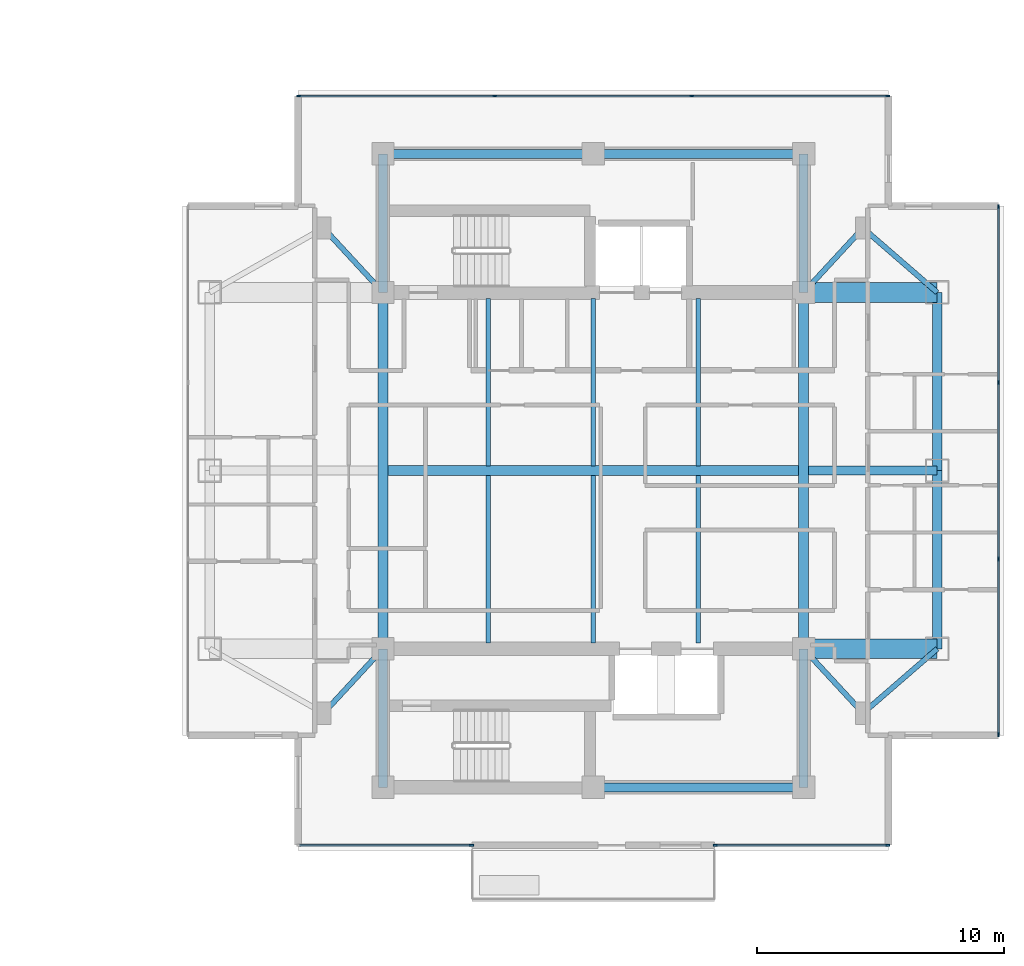
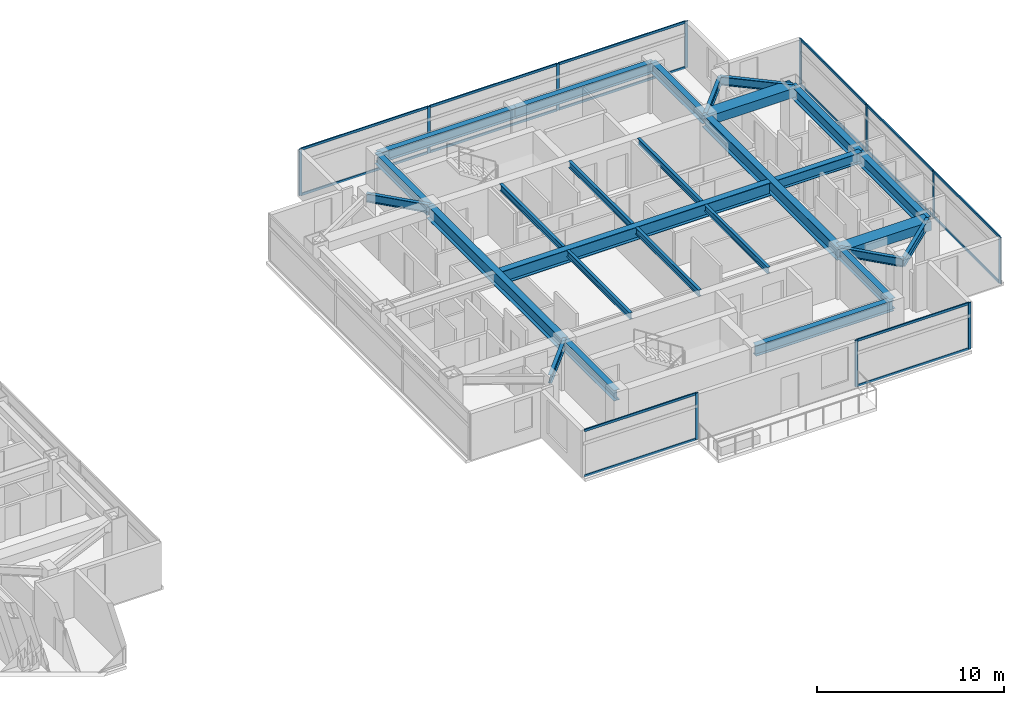
# One storey, part 9 of 23: 27 beams, 27 members, 4 elements without a shape of their own.
"""IFC4 building model written with IfcOpenShell, lengths in metres."""

from ifc_helpers import new_model, si_unit, direction, frame, origin, origin_2d, place, context, subcontext, project, spatial, rectangle, i_section, extrude, material, material_profile, profile_set, type_object, element, aggregate, save


model = new_model("IFC4")

# Units and contexts
model_context = context("Model", 3, precision=1e-05, world=origin(), true_north=direction((0.0, 1.0)))
body_context = subcontext(model_context, "Body", "Model", "MODEL_VIEW")
ifc_project = project(units=[si_unit("LENGTHUNIT", "METRE"), si_unit("AREAUNIT", "SQUARE_METRE"), si_unit("VOLUMEUNIT", "CUBIC_METRE"), si_unit("PLANEANGLEUNIT", "RADIAN"), si_unit("MASSUNIT", "GRAM", prefix="KILO")], contexts=[model_context])

# Site, building, storey
site_placement = place(None, origin())
site = spatial("IfcSite", under=ifc_project, at=site_placement, CompositionType="ELEMENT")
building_placement = place(site_placement, origin())
building = spatial("IfcBuilding", under=site, at=building_placement, Name="Mirazonda Arch Towers", CompositionType="ELEMENT")
storey_placement = place(building_placement, frame((0.0, 0.0, 183.64990234375)))
storey = spatial("IfcBuildingStorey", under=building, at=storey_placement, Name="L52", CompositionType="ELEMENT", Elevation=183.64990234375)

# Beams
ifc_material_1 = material(Name="Steel ASTM A992 Grade 50", Category="steel")
ifc_material_profile_1 = material_profile(ifc_material_1, i_section(OverallWidth=0.381103515625, OverallDepth=0.77294921875, WebThickness=0.0166015625, FlangeThickness=0.027099609375, at=origin_2d()), Name="W30X173")
ifc_profile_set_1 = profile_set([ifc_material_profile_1], Name="Steel ASTM A992 Grade 50")
beam_type_1 = type_object("IfcBeamType", Name="BM-EXT-W30X173", PredefinedType="USERDEFINED", material=ifc_profile_set_1)
for number, where, z_axis, x_axis, name in (
    (1, (90.39990234375, 20.800048828125, 2.66357421875), (0.0, 1.0, 0.0), (-1.0, 0.0, 0.0), "L52 Floor Beam BM-T2-L52-NS-E-20"),
    (2, (90.39990234375, 28.0, 2.66357421875), (0.0, 1.0, 0.0), (-1.0, 0.0, 0.0), "L52 Floor Beam BM-T2-L52-NS-E-28"),
):
    element("IfcBeam", number, at=place(storey_placement, frame(where, z_axis=z_axis, x_axis=x_axis)), inside=storey, type_object=beam_type_1, Name=name, ObjectType="GIRDER", PredefinedType="USERDEFINED", context=body_context, shape_type="SweptSolid", body=[
        extrude(i_section(OverallWidth=0.381103515625, OverallDepth=0.77294921875, WebThickness=0.0166015625, FlangeThickness=0.027099609375, at=origin_2d()), origin(), (0.0, 0.0, 1.0), 7.199951171875),
    ])
ifc_material_profile_2 = material_profile(ifc_material_1, i_section(OverallWidth=0.180908203125, OverallDepth=0.4169921875, WebThickness=0.010986328125, FlangeThickness=0.018310546875, at=origin_2d()), Name="W16X57")
ifc_profile_set_2 = profile_set([ifc_material_profile_2], Name="Steel ASTM A992 Grade 50")
beam_type_2 = type_object("IfcBeamType", Name="BM-INT-W16X57", PredefinedType="JOIST", material=ifc_profile_set_2)
for number, where, z_axis, x_axis, name in (
    (3, (72.25, 21.0400390625, 2.841552734375), (0.0, 1.0, 0.0), (-1.0, 0.0, 0.0), "L52 Floor Beam BM-T2-L52-J-722-20"),
    (4, (72.25, 28.196044921875, 2.841552734375), (0.0, 1.0, 0.0), (-1.0, 0.0, 0.0), "L52 Floor Beam BM-T2-L52-J-722-28"),
    (5, (76.5, 21.0400390625, 2.841552734375), (0.0, 1.0, 0.0), (-1.0, 0.0, 0.0), "L52 Floor Beam BM-T2-L52-J-765-20"),
    (6, (76.5, 28.196044921875, 2.841552734375), (0.0, 1.0, 0.0), (-1.0, 0.0, 0.0), "L52 Floor Beam BM-T2-L52-J-765-28"),
    (7, (80.75, 21.0400390625, 2.841552734375), (0.0, 1.0, 0.0), (-1.0, 0.0, 0.0), "L52 Floor Beam BM-T2-L52-J-807-20"),
    (8, (80.75, 28.196044921875, 2.841552734375), (0.0, 1.0, 0.0), (-1.0, 0.0, 0.0), "L52 Floor Beam BM-T2-L52-J-807-28"),
):
    element("IfcBeam", number, at=place(storey_placement, frame(where, z_axis=z_axis, x_axis=x_axis)), inside=storey, type_object=beam_type_2, Name=name, PredefinedType="JOIST", context=body_context, shape_type="SweptSolid", body=[
        extrude(i_section(OverallWidth=0.180908203125, OverallDepth=0.4169921875, WebThickness=0.010986328125, FlangeThickness=0.018310546875, at=origin_2d()), origin(), (0.0, 0.0, 1.0), 6.763916015625),
    ])
ifc_material_profile_3 = material_profile(ifc_material_1, i_section(OverallWidth=0.214111328125, OverallDepth=0.549072265625, WebThickness=0.0146484375, FlangeThickness=0.023681640625, at=origin_2d()), Name="W21X93")
ifc_profile_set_3 = profile_set([ifc_material_profile_3], Name="Steel ASTM A992 Grade 50")
beam_type_3 = type_object("IfcBeamType", Name="BM-INT-W21X93", PredefinedType="BEAM", material=ifc_profile_set_3)
for number, where, z_axis, x_axis, name in (
    (9, (65.60009765625, 18.199951171875, 2.775634765625), (0.678251444854, 0.734829897019, 0.0), (-0.734829897019, 0.678251444854, 0.0), "L52 Floor Beam BM-T2-L52-PL-SW1"),
    (10, (87.39990234375, 18.199951171875, 2.775634765625), (-0.678251444854, 0.734829897019, 0.0), (-0.734829897019, -0.678251444854, 0.0), "L52 Floor Beam BM-T2-L52-PL-SE1"),
):
    element("IfcBeam", number, at=place(storey_placement, frame(where, z_axis=z_axis, x_axis=x_axis)), inside=storey, type_object=beam_type_3, Name=name, PredefinedType="BEAM", context=body_context, shape_type="SweptSolid", body=[
        extrude(i_section(OverallWidth=0.214111328125, OverallDepth=0.549072265625, WebThickness=0.0146484375, FlangeThickness=0.023681640625, at=origin_2d()), origin(), (0.0, 0.0, 1.0), 3.538330078125),
    ])
beam_1_placement = place(storey_placement, frame((87.39990234375, 18.199951171875, 2.775634765625), z_axis=(0.755676908098, 0.654944585876, 0.0), x_axis=(-0.654944585876, 0.755676908098, 0.0)))
element("IfcBeam", 11, at=beam_1_placement, inside=storey, type_object=beam_type_3, Name="L52 Floor Beam BM-T2-L52-PL-SE2", PredefinedType="BEAM", context=body_context, shape_type="SweptSolid", body=[
    extrude(i_section(OverallWidth=0.214111328125, OverallDepth=0.549072265625, WebThickness=0.0146484375, FlangeThickness=0.023681640625, at=origin_2d()), origin(), (0.0, 0.0, 1.0), 3.969970703125),
])
for number, where, z_axis, x_axis, name in (
    (12, (65.60009765625, 37.800048828125, 2.775634765625), (0.678251444854, -0.734829897019, 0.0), (0.734829897019, 0.678251444854, 0.0), "L52 Floor Beam BM-T2-L52-PL-NW1"),
    (13, (87.39990234375, 37.800048828125, 2.775634765625), (-0.678251444854, -0.734829897019, 0.0), (0.734829897019, -0.678251444854, 0.0), "L52 Floor Beam BM-T2-L52-PL-NE1"),
):
    element("IfcBeam", number, at=place(storey_placement, frame(where, z_axis=z_axis, x_axis=x_axis)), inside=storey, type_object=beam_type_3, Name=name, PredefinedType="BEAM", context=body_context, shape_type="SweptSolid", body=[
        extrude(i_section(OverallWidth=0.214111328125, OverallDepth=0.549072265625, WebThickness=0.0146484375, FlangeThickness=0.023681640625, at=origin_2d()), origin(), (0.0, 0.0, 1.0), 3.538330078125),
    ])
beam_2_placement = place(storey_placement, frame((87.39990234375, 37.800048828125, 2.775634765625), z_axis=(0.755676908098, -0.654944585876, 0.0), x_axis=(0.654944585876, 0.755676908098, 0.0)))
element("IfcBeam", 14, at=beam_2_placement, inside=storey, type_object=beam_type_3, Name="L52 Floor Beam BM-T2-L52-PL-NE2", PredefinedType="BEAM", context=body_context, shape_type="SweptSolid", body=[
    extrude(i_section(OverallWidth=0.214111328125, OverallDepth=0.549072265625, WebThickness=0.0146484375, FlangeThickness=0.023681640625, at=origin_2d()), origin(), (0.0, 0.0, 1.0), 3.969970703125),
])
ifc_material_profile_4 = material_profile(ifc_material_1, i_section(OverallWidth=0.35498046875, OverallDepth=0.696044921875, WebThickness=0.015380859375, FlangeThickness=0.02490234375, at=origin_2d()), Name="W27X146")
ifc_profile_set_4 = profile_set([ifc_material_profile_4], Name="Steel ASTM A992 Grade 50")
beam_type_4 = type_object("IfcBeamType", Name="BM-INT-W27X146", PredefinedType="BEAM", material=ifc_profile_set_4)
for number, where, z_axis, x_axis, name in (
    (15, (76.5, 15.199951171875, 2.7021484375), (1.0, 0.0, 0.0), (0.0, 1.0, 0.0), "L52 Floor Beam BM-T2-L52-CS2"),
    (16, (68.0, 40.800048828125, 2.7021484375), (1.0, 0.0, 0.0), (0.0, 1.0, 0.0), "L52 Floor Beam BM-T2-L52-CN1"),
    (17, (76.5, 40.800048828125, 2.7021484375), (1.0, 0.0, 0.0), (0.0, 1.0, 0.0), "L52 Floor Beam BM-T2-L52-CN2"),
):
    element("IfcBeam", number, at=place(storey_placement, frame(where, z_axis=z_axis, x_axis=x_axis)), inside=storey, type_object=beam_type_4, Name=name, PredefinedType="BEAM", context=body_context, shape_type="SweptSolid", body=[
        extrude(i_section(OverallWidth=0.35498046875, OverallDepth=0.696044921875, WebThickness=0.015380859375, FlangeThickness=0.02490234375, at=origin_2d()), origin(), (0.0, 0.0, 1.0), 8.5),
    ])
for number, where, z_axis, x_axis, name in (
    (18, (68.0, 15.199951171875, 2.7021484375), (0.0, 1.0, 0.0), (-1.0, 0.0, 0.0), "L52 Floor Beam BM-T2-L52-CSW"),
    (19, (85.0, 15.199951171875, 2.7021484375), (0.0, 1.0, 0.0), (-1.0, 0.0, 0.0), "L52 Floor Beam BM-T2-L52-CSE"),
    (20, (68.0, 35.199951171875, 2.7021484375), (0.0, 1.0, 0.0), (-1.0, 0.0, 0.0), "L52 Floor Beam BM-T2-L52-CNW"),
    (21, (85.0, 35.199951171875, 2.7021484375), (0.0, 1.0, 0.0), (-1.0, 0.0, 0.0), "L52 Floor Beam BM-T2-L52-CNE"),
):
    element("IfcBeam", number, at=place(storey_placement, frame(where, z_axis=z_axis, x_axis=x_axis)), inside=storey, type_object=beam_type_4, Name=name, PredefinedType="BEAM", context=body_context, shape_type="SweptSolid", body=[
        extrude(i_section(OverallWidth=0.35498046875, OverallDepth=0.696044921875, WebThickness=0.015380859375, FlangeThickness=0.02490234375, at=origin_2d()), origin(), (0.0, 0.0, 1.0), 5.60009765625),
    ])
beam_3_placement = place(storey_placement, frame((85.199951171875, 28.0, 2.7021484375), z_axis=(1.0, 0.0, 0.0), x_axis=(0.0, 1.0, 0.0)))
element("IfcBeam", 22, at=beam_3_placement, inside=storey, type_object=beam_type_4, Name="L52 Floor Beam BM-T2-L52-GE2", PredefinedType="BEAM", context=body_context, shape_type="SweptSolid", body=[
    extrude(i_section(OverallWidth=0.35498046875, OverallDepth=0.696044921875, WebThickness=0.015380859375, FlangeThickness=0.02490234375, at=origin_2d()), origin(), (0.0, 0.0, 1.0), 5.199951171875),
])
ifc_material_profile_5 = material_profile(ifc_material_1, i_section(OverallWidth=0.39990234375, OverallDepth=0.85595703125, WebThickness=0.018310546875, FlangeThickness=0.029296875, at=origin_2d()), Name="W33X201")
ifc_profile_set_5 = profile_set([ifc_material_profile_5], Name="Steel ASTM A992 Grade 50")
beam_type_5 = type_object("IfcBeamType", Name="BM-INT-W33X201", PredefinedType="USERDEFINED", material=ifc_profile_set_5)
beam_4_placement = place(storey_placement, frame((68.199951171875, 28.0, 2.6220703125), z_axis=(1.0, 0.0, 0.0), x_axis=(0.0, 1.0, 0.0)))
element("IfcBeam", 23, at=beam_4_placement, inside=storey, type_object=beam_type_5, Name="L52 Floor Beam BM-T2-L52-GC2", ObjectType="GIRDER", PredefinedType="USERDEFINED", context=body_context, shape_type="SweptSolid", body=[
    extrude(i_section(OverallWidth=0.39990234375, OverallDepth=0.85595703125, WebThickness=0.018310546875, FlangeThickness=0.029296875, at=origin_2d()), origin(), (0.0, 0.0, 1.0), 16.60009765625),
])
for number, where, z_axis, x_axis, name in (
    (24, (68.0, 20.800048828125, 2.6220703125), (0.0, 1.0, 0.0), (-1.0, 0.0, 0.0), "L52 Floor Beam BM-T2-L52-NS-CW-FULL"),
    (25, (85.0, 20.800048828125, 2.6220703125), (0.0, 1.0, 0.0), (-1.0, 0.0, 0.0), "L52 Floor Beam BM-T2-L52-NS-CE-FULL"),
):
    element("IfcBeam", number, at=place(storey_placement, frame(where, z_axis=z_axis, x_axis=x_axis)), inside=storey, type_object=beam_type_5, Name=name, ObjectType="GIRDER", PredefinedType="USERDEFINED", context=body_context, shape_type="SweptSolid", body=[
        extrude(i_section(OverallWidth=0.39990234375, OverallDepth=0.85595703125, WebThickness=0.018310546875, FlangeThickness=0.029296875, at=origin_2d()), origin(), (0.0, 0.0, 1.0), 14.39990234375),
    ])
ifc_material_2 = material(Name="Concrete C60/75", Category="concrete")
ifc_material_profile_6 = material_profile(ifc_material_2, rectangle(XDim=0.800048828125, YDim=0.60009765625, at=origin_2d()), Name="RCCB800x600")
ifc_profile_set_6 = profile_set([ifc_material_profile_6], Name="Concrete C60/75")
beam_type_6 = type_object("IfcBeamType", Name="CB-INT-RCCB800x600", PredefinedType="SPANDREL", material=ifc_profile_set_6)
for number, where, z_axis, x_axis, name in (
    (26, (85.0, 35.199951171875, 2.75), (1.0, 0.0, 0.0), (0.0, 1.0, 0.0), "L52 Floor Beam CBC-T2-L52-NE"),
    (27, (85.0, 20.800048828125, 2.75), (1.0, 0.0, 0.0), (0.0, 1.0, 0.0), "L52 Floor Beam CBC-T2-L52-SE"),
):
    element("IfcBeam", number, at=place(storey_placement, frame(where, z_axis=z_axis, x_axis=x_axis)), inside=storey, type_object=beam_type_6, Name=name, PredefinedType="SPANDREL", context=body_context, shape_type="SweptSolid", body=[
        extrude(rectangle(XDim=0.800048828125, YDim=0.60009765625, at=origin_2d()), origin(), (0.0, 0.0, 1.0), 5.39990234375),
    ])

# Curtain wall, members
ifc_material_3 = material(Name="Anodised Aluminium and Low-E Glass", Category="aluminium")
curtain_wall_type = type_object("IfcCurtainWallType", Name="CW-RES-UNIT", PredefinedType="NOTDEFINED", material=ifc_material_3)
curtain_wall_1_placement = place(storey_placement, origin())
curtain_wall_1 = element("IfcCurtainWall", 28, at=curtain_wall_1_placement, inside=storey, type_object=curtain_wall_type, Name="L52 Curtain Wall CW-L52-T2-SA", PredefinedType="NOTDEFINED")
ifc_material_4 = material(Name="Anodised Aluminium Alloy", Category="aluminium")
ifc_material_profile_7 = material_profile(ifc_material_4, rectangle(XDim=0.074951171875, YDim=0.175048828125, at=origin_2d()), Name="ALU-MULL-75x175")
ifc_profile_set_7 = profile_set([ifc_material_profile_7], Name="Anodised Aluminium Alloy")
member_type_1 = type_object("IfcMemberType", Name="MULL-CW-RES-UNIT", PredefinedType="MULLION", material=ifc_profile_set_7)
member_1_placement = place(storey_placement, frame((88.400390625, 12.861572265625, 0.0), z_axis=(0.0, 0.0, 1.0), x_axis=(0.0, -1.0, 0.0)))
member_1 = element("IfcMember", 29, at=member_1_placement, type_object=member_type_1, Name="CW-104 mullion 1", PredefinedType="MULLION", context=body_context, shape_type="SweptSolid", body=[
    extrude(rectangle(XDim=0.074951171875, YDim=0.175048828125, at=origin_2d()), origin(), (0.0, 0.0, 1.0), 3.030029296875),
])
member_2_placement = place(storey_placement, frame((81.427490234375, 12.861572265625, 0.0), z_axis=(0.0, 0.0, 1.0), x_axis=(0.0, -1.0, 0.0)))
member_2 = element("IfcMember", 30, at=member_2_placement, type_object=member_type_1, Name="CW-104 mullion 2", PredefinedType="MULLION", context=body_context, shape_type="SweptSolid", body=[
    extrude(rectangle(XDim=0.074951171875, YDim=0.175048828125, at=origin_2d()), origin(), (0.0, 0.0, 1.0), 3.030029296875),
])

# Curtain wall, member
curtain_wall_2_placement = place(storey_placement, origin())
curtain_wall_2 = element("IfcCurtainWall", 31, at=curtain_wall_2_placement, inside=storey, type_object=curtain_wall_type, Name="L52 Curtain Wall CW-L52-T2-SB", PredefinedType="NOTDEFINED")
member_3_placement = place(storey_placement, frame((71.572509765625, 12.861572265625, 0.0), z_axis=(0.0, 0.0, 1.0), x_axis=(0.0, -1.0, 0.0)))
member_3 = element("IfcMember", 32, at=member_3_placement, type_object=member_type_1, Name="CW-104 mullion 1", PredefinedType="MULLION", context=body_context, shape_type="SweptSolid", body=[
    extrude(rectangle(XDim=0.074951171875, YDim=0.175048828125, at=origin_2d()), origin(), (0.0, 0.0, 1.0), 3.030029296875),
])

# Curtain wall, members
curtain_wall_3_placement = place(storey_placement, origin())
curtain_wall_3 = element("IfcCurtainWall", 33, at=curtain_wall_3_placement, inside=storey, type_object=curtain_wall_type, Name="L52 T2 E Facade CW-L52-T2-E", PredefinedType="NOTDEFINED")
member_4_placement = place(storey_placement, frame((92.87744140625, 17.338623046875, 0.0), z_axis=(0.0, 0.0, 1.0), x_axis=(-1.0, 0.0, 0.0)))
member_4 = element("IfcMember", 34, at=member_4_placement, type_object=member_type_1, Name="CW-104 mullion 1", PredefinedType="MULLION", context=body_context, shape_type="SweptSolid", body=[
    extrude(rectangle(XDim=0.074951171875, YDim=0.175048828125, at=origin_2d()), origin(), (0.0, 0.0, 1.0), 3.030029296875),
])
member_5_placement = place(storey_placement, frame((92.87744140625, 24.433837890625, 0.0), z_axis=(0.0, 0.0, 1.0), x_axis=(-1.0, 0.0, 0.0)))
member_5 = element("IfcMember", 35, at=member_5_placement, type_object=member_type_1, Name="CW-104 mullion 2", PredefinedType="MULLION", context=body_context, shape_type="SweptSolid", body=[
    extrude(rectangle(XDim=0.074951171875, YDim=0.175048828125, at=origin_2d()), origin(), (0.0, 0.0, 1.0), 3.030029296875),
])
member_6_placement = place(storey_placement, frame((92.87744140625, 31.566162109375, 0.0), z_axis=(0.0, 0.0, 1.0), x_axis=(-1.0, 0.0, 0.0)))
member_6 = element("IfcMember", 36, at=member_6_placement, type_object=member_type_1, Name="CW-104 mullion 3", PredefinedType="MULLION", context=body_context, shape_type="SweptSolid", body=[
    extrude(rectangle(XDim=0.074951171875, YDim=0.175048828125, at=origin_2d()), origin(), (0.0, 0.0, 1.0), 3.030029296875),
])
member_7_placement = place(storey_placement, frame((92.87744140625, 38.661376953125, 0.0), z_axis=(0.0, 0.0, 1.0), x_axis=(-1.0, 0.0, 0.0)))
member_7 = element("IfcMember", 37, at=member_7_placement, type_object=member_type_1, Name="CW-104 mullion 4", PredefinedType="MULLION", context=body_context, shape_type="SweptSolid", body=[
    extrude(rectangle(XDim=0.074951171875, YDim=0.175048828125, at=origin_2d()), origin(), (0.0, 0.0, 1.0), 3.030029296875),
])

curtain_wall_4_placement = place(storey_placement, origin())
curtain_wall_4 = element("IfcCurtainWall", 38, at=curtain_wall_4_placement, inside=storey, type_object=curtain_wall_type, Name="L52 T2 N Facade CW-L52-T2-N", PredefinedType="NOTDEFINED")
member_8_placement = place(storey_placement, frame((64.599609375, 43.138427734375, 0.0), z_axis=(0.0, 0.0, 1.0), x_axis=(0.0, 1.0, 0.0)))
member_8 = element("IfcMember", 39, at=member_8_placement, type_object=member_type_1, Name="CW-104 mullion 1", PredefinedType="MULLION", context=body_context, shape_type="SweptSolid", body=[
    extrude(rectangle(XDim=0.074951171875, YDim=0.175048828125, at=origin_2d()), origin(), (0.0, 0.0, 1.0), 3.030029296875),
])
member_9_placement = place(storey_placement, frame((72.520751953125, 43.138427734375, 0.0), z_axis=(0.0, 0.0, 1.0), x_axis=(0.0, 1.0, 0.0)))
member_9 = element("IfcMember", 40, at=member_9_placement, type_object=member_type_1, Name="CW-104 mullion 2", PredefinedType="MULLION", context=body_context, shape_type="SweptSolid", body=[
    extrude(rectangle(XDim=0.074951171875, YDim=0.175048828125, at=origin_2d()), origin(), (0.0, 0.0, 1.0), 3.030029296875),
])
member_10_placement = place(storey_placement, frame((80.479248046875, 43.138427734375, 0.0), z_axis=(0.0, 0.0, 1.0), x_axis=(0.0, 1.0, 0.0)))
member_10 = element("IfcMember", 41, at=member_10_placement, type_object=member_type_1, Name="CW-104 mullion 3", PredefinedType="MULLION", context=body_context, shape_type="SweptSolid", body=[
    extrude(rectangle(XDim=0.074951171875, YDim=0.175048828125, at=origin_2d()), origin(), (0.0, 0.0, 1.0), 3.030029296875),
])
member_11_placement = place(storey_placement, frame((88.400390625, 43.138427734375, 0.0), z_axis=(0.0, 0.0, 1.0), x_axis=(0.0, 1.0, 0.0)))
member_11 = element("IfcMember", 42, at=member_11_placement, type_object=member_type_1, Name="CW-104 mullion 4", PredefinedType="MULLION", context=body_context, shape_type="SweptSolid", body=[
    extrude(rectangle(XDim=0.074951171875, YDim=0.175048828125, at=origin_2d()), origin(), (0.0, 0.0, 1.0), 3.030029296875),
])

# Member
ifc_material_profile_8 = material_profile(ifc_material_4, rectangle(XDim=0.074951171875, YDim=0.155029296875, at=origin_2d()), Name="ALU-TRAN-75x155")
ifc_profile_set_8 = profile_set([ifc_material_profile_8], Name="Anodised Aluminium Alloy")
member_type_2 = type_object("IfcMemberType", Name="TRAN-CW-RES-UNIT", PredefinedType="USERDEFINED", material=ifc_profile_set_8)
member_12_placement = place(storey_placement, frame((88.36279296875, 12.861572265625, 0.03759765625), z_axis=(-1.0, 0.0, 0.0), x_axis=(0.0, -1.0, 0.0)))
member_12 = element("IfcMember", 43, at=member_12_placement, type_object=member_type_2, Name="CW-104 transom 1.1", ObjectType="TRANSOM", PredefinedType="USERDEFINED", context=body_context, shape_type="SweptSolid", body=[
    extrude(rectangle(XDim=0.074951171875, YDim=0.155029296875, at=origin_2d()), origin(), (0.0, 0.0, 1.0), 6.897705078125),
])

member_13_placement = place(storey_placement, frame((88.36279296875, 12.861572265625, 2.99267578125), z_axis=(-1.0, 0.0, 0.0), x_axis=(0.0, -1.0, 0.0)))
member_13 = element("IfcMember", 44, at=member_13_placement, type_object=member_type_2, Name="CW-104 transom 1.2", ObjectType="TRANSOM", PredefinedType="USERDEFINED", context=body_context, shape_type="SweptSolid", body=[
    extrude(rectangle(XDim=0.074951171875, YDim=0.155029296875, at=origin_2d()), origin(), (0.0, 0.0, 1.0), 6.897705078125),
])

aggregate(curtain_wall_1, [member_1, member_2, member_12, member_13])

member_14_placement = place(storey_placement, frame((71.534912109375, 12.861572265625, 0.03759765625), z_axis=(-1.0, 0.0, 0.0), x_axis=(0.0, -1.0, 0.0)))
member_14 = element("IfcMember", 45, at=member_14_placement, type_object=member_type_2, Name="CW-104 transom 1.1", ObjectType="TRANSOM", PredefinedType="USERDEFINED", context=body_context, shape_type="SweptSolid", body=[
    extrude(rectangle(XDim=0.074951171875, YDim=0.155029296875, at=origin_2d()), origin(), (0.0, 0.0, 1.0), 6.897705078125),
])

member_15_placement = place(storey_placement, frame((71.534912109375, 12.861572265625, 2.99267578125), z_axis=(-1.0, 0.0, 0.0), x_axis=(0.0, -1.0, 0.0)))
member_15 = element("IfcMember", 46, at=member_15_placement, type_object=member_type_2, Name="CW-104 transom 1.2", ObjectType="TRANSOM", PredefinedType="USERDEFINED", context=body_context, shape_type="SweptSolid", body=[
    extrude(rectangle(XDim=0.074951171875, YDim=0.155029296875, at=origin_2d()), origin(), (0.0, 0.0, 1.0), 6.897705078125),
])

aggregate(curtain_wall_2, [member_3, member_14, member_15])

member_16_placement = place(storey_placement, frame((92.87744140625, 17.376220703125, 0.03759765625), z_axis=(0.0, 1.0, 0.0), x_axis=(-1.0, 0.0, 0.0)))
member_16 = element("IfcMember", 47, at=member_16_placement, type_object=member_type_2, Name="CW-104 transom 1.1", ObjectType="TRANSOM", PredefinedType="USERDEFINED", context=body_context, shape_type="SweptSolid", body=[
    extrude(rectangle(XDim=0.074951171875, YDim=0.155029296875, at=origin_2d()), origin(), (0.0, 0.0, 1.0), 7.02001953125),
])

member_17_placement = place(storey_placement, frame((92.87744140625, 17.376220703125, 2.99267578125), z_axis=(0.0, 1.0, 0.0), x_axis=(-1.0, 0.0, 0.0)))
member_17 = element("IfcMember", 48, at=member_17_placement, type_object=member_type_2, Name="CW-104 transom 1.2", ObjectType="TRANSOM", PredefinedType="USERDEFINED", context=body_context, shape_type="SweptSolid", body=[
    extrude(rectangle(XDim=0.074951171875, YDim=0.155029296875, at=origin_2d()), origin(), (0.0, 0.0, 1.0), 7.02001953125),
])

member_18_placement = place(storey_placement, frame((92.87744140625, 24.47119140625, 0.03759765625), z_axis=(0.0, 1.0, 0.0), x_axis=(-1.0, 0.0, 0.0)))
member_18 = element("IfcMember", 49, at=member_18_placement, type_object=member_type_2, Name="CW-104 transom 2.1", ObjectType="TRANSOM", PredefinedType="USERDEFINED", context=body_context, shape_type="SweptSolid", body=[
    extrude(rectangle(XDim=0.074951171875, YDim=0.155029296875, at=origin_2d()), origin(), (0.0, 0.0, 1.0), 7.0576171875),
])

member_19_placement = place(storey_placement, frame((92.87744140625, 24.47119140625, 2.99267578125), z_axis=(0.0, 1.0, 0.0), x_axis=(-1.0, 0.0, 0.0)))
member_19 = element("IfcMember", 50, at=member_19_placement, type_object=member_type_2, Name="CW-104 transom 2.2", ObjectType="TRANSOM", PredefinedType="USERDEFINED", context=body_context, shape_type="SweptSolid", body=[
    extrude(rectangle(XDim=0.074951171875, YDim=0.155029296875, at=origin_2d()), origin(), (0.0, 0.0, 1.0), 7.0576171875),
])

member_20_placement = place(storey_placement, frame((92.87744140625, 31.603759765625, 0.03759765625), z_axis=(0.0, 1.0, 0.0), x_axis=(-1.0, 0.0, 0.0)))
member_20 = element("IfcMember", 51, at=member_20_placement, type_object=member_type_2, Name="CW-104 transom 3.1", ObjectType="TRANSOM", PredefinedType="USERDEFINED", context=body_context, shape_type="SweptSolid", body=[
    extrude(rectangle(XDim=0.074951171875, YDim=0.155029296875, at=origin_2d()), origin(), (0.0, 0.0, 1.0), 7.02001953125),
])

member_21_placement = place(storey_placement, frame((92.87744140625, 31.603759765625, 2.99267578125), z_axis=(0.0, 1.0, 0.0), x_axis=(-1.0, 0.0, 0.0)))
member_21 = element("IfcMember", 52, at=member_21_placement, type_object=member_type_2, Name="CW-104 transom 3.2", ObjectType="TRANSOM", PredefinedType="USERDEFINED", context=body_context, shape_type="SweptSolid", body=[
    extrude(rectangle(XDim=0.074951171875, YDim=0.155029296875, at=origin_2d()), origin(), (0.0, 0.0, 1.0), 7.02001953125),
])

aggregate(curtain_wall_3, [member_4, member_5, member_6, member_7, member_16, member_17, member_18, member_19, member_20, member_21])

member_22_placement = place(storey_placement, frame((64.63720703125, 43.138427734375, 0.03759765625), z_axis=(1.0, 0.0, 0.0), x_axis=(0.0, 1.0, 0.0)))
member_22 = element("IfcMember", 53, at=member_22_placement, type_object=member_type_2, Name="CW-104 transom 1.1", ObjectType="TRANSOM", PredefinedType="USERDEFINED", context=body_context, shape_type="SweptSolid", body=[
    extrude(rectangle(XDim=0.074951171875, YDim=0.155029296875, at=origin_2d()), origin(), (0.0, 0.0, 1.0), 7.845947265625),
])

member_23_placement = place(storey_placement, frame((64.63720703125, 43.138427734375, 2.99267578125), z_axis=(1.0, 0.0, 0.0), x_axis=(0.0, 1.0, 0.0)))
member_23 = element("IfcMember", 54, at=member_23_placement, type_object=member_type_2, Name="CW-104 transom 1.2", ObjectType="TRANSOM", PredefinedType="USERDEFINED", context=body_context, shape_type="SweptSolid", body=[
    extrude(rectangle(XDim=0.074951171875, YDim=0.155029296875, at=origin_2d()), origin(), (0.0, 0.0, 1.0), 7.845947265625),
])

member_24_placement = place(storey_placement, frame((72.558349609375, 43.138427734375, 0.03759765625), z_axis=(1.0, 0.0, 0.0), x_axis=(0.0, 1.0, 0.0)))
member_24 = element("IfcMember", 55, at=member_24_placement, type_object=member_type_2, Name="CW-104 transom 2.1", ObjectType="TRANSOM", PredefinedType="USERDEFINED", context=body_context, shape_type="SweptSolid", body=[
    extrude(rectangle(XDim=0.074951171875, YDim=0.155029296875, at=origin_2d()), origin(), (0.0, 0.0, 1.0), 7.88330078125),
])

member_25_placement = place(storey_placement, frame((72.558349609375, 43.138427734375, 2.99267578125), z_axis=(1.0, 0.0, 0.0), x_axis=(0.0, 1.0, 0.0)))
member_25 = element("IfcMember", 56, at=member_25_placement, type_object=member_type_2, Name="CW-104 transom 2.2", ObjectType="TRANSOM", PredefinedType="USERDEFINED", context=body_context, shape_type="SweptSolid", body=[
    extrude(rectangle(XDim=0.074951171875, YDim=0.155029296875, at=origin_2d()), origin(), (0.0, 0.0, 1.0), 7.88330078125),
])

member_26_placement = place(storey_placement, frame((80.516845703125, 43.138427734375, 0.03759765625), z_axis=(1.0, 0.0, 0.0), x_axis=(0.0, 1.0, 0.0)))
member_26 = element("IfcMember", 57, at=member_26_placement, type_object=member_type_2, Name="CW-104 transom 3.1", ObjectType="TRANSOM", PredefinedType="USERDEFINED", context=body_context, shape_type="SweptSolid", body=[
    extrude(rectangle(XDim=0.074951171875, YDim=0.155029296875, at=origin_2d()), origin(), (0.0, 0.0, 1.0), 7.845947265625),
])

member_27_placement = place(storey_placement, frame((80.516845703125, 43.138427734375, 2.99267578125), z_axis=(1.0, 0.0, 0.0), x_axis=(0.0, 1.0, 0.0)))
member_27 = element("IfcMember", 58, at=member_27_placement, type_object=member_type_2, Name="CW-104 transom 3.2", ObjectType="TRANSOM", PredefinedType="USERDEFINED", context=body_context, shape_type="SweptSolid", body=[
    extrude(rectangle(XDim=0.074951171875, YDim=0.155029296875, at=origin_2d()), origin(), (0.0, 0.0, 1.0), 7.845947265625),
])

aggregate(curtain_wall_4, [member_8, member_9, member_10, member_11, member_22, member_23, member_24, member_25, member_26, member_27])

save(model, "model.ifc")
